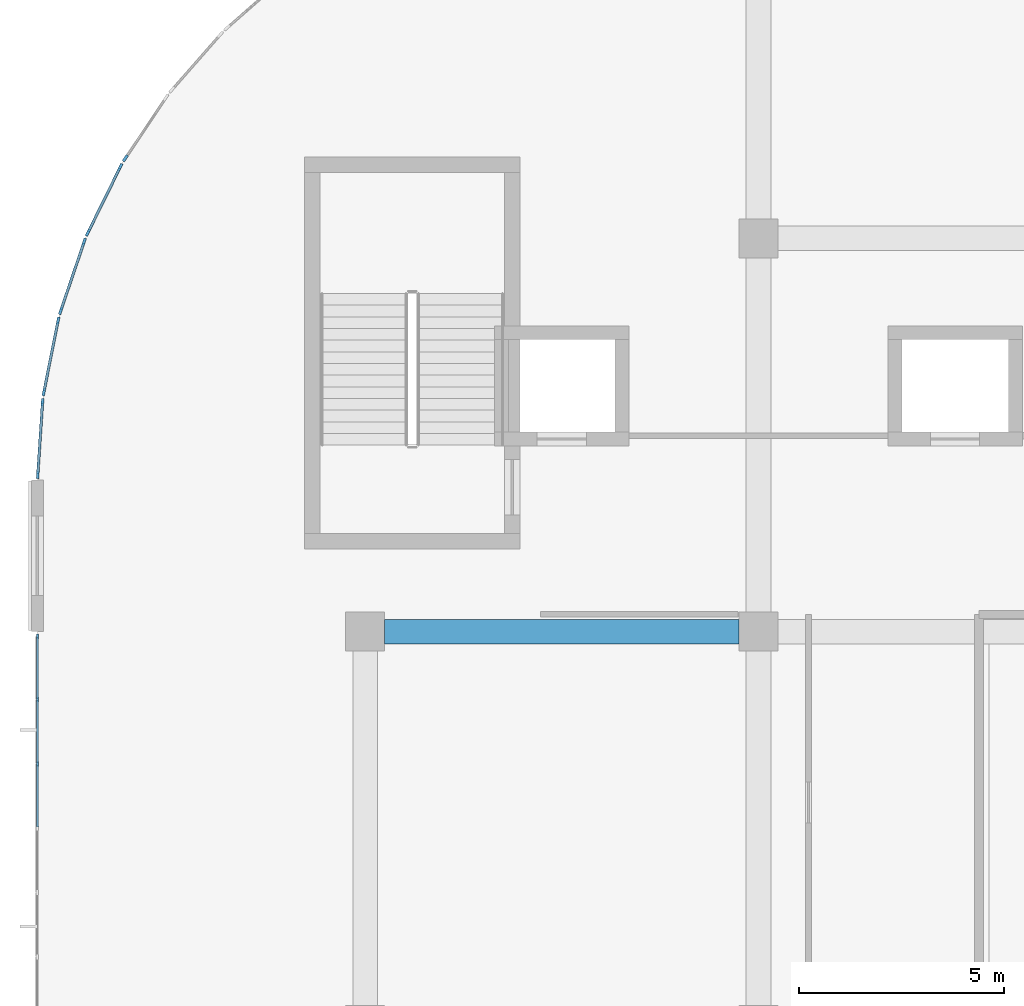
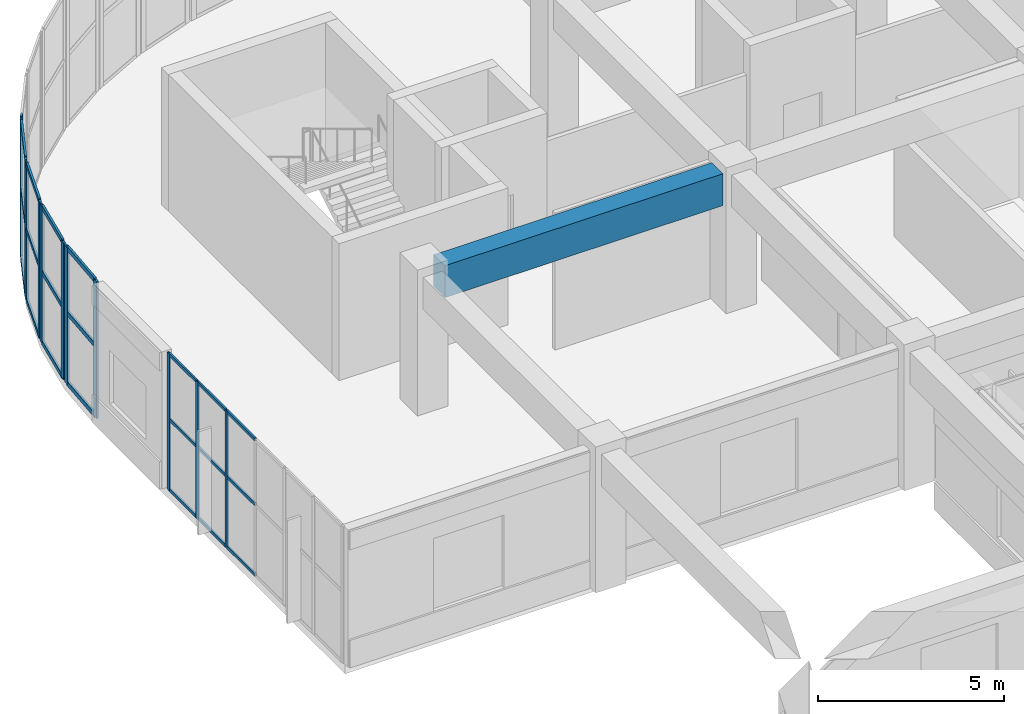
# One storey, part 26 of 86: 33 members, 1 beam, 6 elements without a shape of their own.
"""IFC4 building model written with IfcOpenShell, lengths in metres."""

from ifc_helpers import new_model, si_unit, direction, frame, origin, origin_2d, place, context, subcontext, project, spatial, rectangle, extrude, material, layer, layer_set, material_profile, profile_set, type_object, element, aggregate, save


model = new_model("IFC4")

# Units and contexts
model_context = context("Model", 3, precision=1e-05, world=origin(), true_north=direction((0.0, 1.0)))
body_context = subcontext(model_context, "Body", "Model", "MODEL_VIEW")
ifc_project = project(units=[si_unit("LENGTHUNIT", "METRE"), si_unit("AREAUNIT", "SQUARE_METRE"), si_unit("VOLUMEUNIT", "CUBIC_METRE"), si_unit("PLANEANGLEUNIT", "RADIAN"), si_unit("MASSUNIT", "GRAM", prefix="KILO")], contexts=[model_context])

# Site, building, storey
site_placement = place(None, origin())
site = spatial("IfcSite", under=ifc_project, at=site_placement, CompositionType="ELEMENT")
building_placement = place(site_placement, origin())
building = spatial("IfcBuilding", under=site, at=building_placement, Name="Cendralis Terraced Arcade", CompositionType="ELEMENT")
storey_placement = place(building_placement, frame((0.0, 0.0, 5.39990234375)))
storey = spatial("IfcBuildingStorey", under=building, at=storey_placement, Name="L01", CompositionType="ELEMENT", Elevation=5.39990234375)

# Beam
ifc_material_1 = material(Name="Concrete f'c 35 MPa", Category="concrete")
ifc_material_profile_1 = material_profile(ifc_material_1, rectangle(XDim=0.60009765625, YDim=1.050048828125, at=origin_2d()), Name="RC-BM-600x1050", Category="LoadBearing")
ifc_profile_set_1 = profile_set([ifc_material_profile_1], Name="Concrete f'c 35 MPa")
beam_type = type_object("IfcBeamType", Name="BM-600x1050", PredefinedType="JOIST", material=ifc_profile_set_1)
beam_placement = place(storey_placement, frame((10.074951171875, 69.60009765625, 3.97998046875), z_axis=(1.0, 0.0, 0.0), x_axis=(0.0, 1.0, 0.0)))
element("IfcBeam", 1, at=beam_placement, inside=storey, type_object=beam_type, Name="Reinforced Concrete Frame Beam BM-X-L02-H-2_3", PredefinedType="JOIST", context=body_context, shape_type="SweptSolid", body=[
    extrude(rectangle(XDim=0.60009765625, YDim=1.050048828125, at=origin_2d()), origin(), (0.0, 0.0, 1.0), 8.650146484375),
])

# Curtain wall, members
ifc_material_2 = material(Name="Anodised aluminium EN AW-6063 T6", Category="aluminium")
ifc_layer_1 = layer(ifc_material_2, 0.1201171875, Name="CW-STORE-B")
ifc_layer_set_1 = layer_set([ifc_layer_1], Name="Anodised aluminium EN AW-6063 T6")
curtain_wall_type_1 = type_object("IfcCurtainWallType", Name="CW-STORE-B", PredefinedType="USERDEFINED", material=ifc_layer_set_1)
curtain_wall_1_placement = place(storey_placement, origin())
curtain_wall_1 = element("IfcCurtainWall", 2, at=curtain_wall_1_placement, inside=storey, type_object=curtain_wall_type_1, Name="Exterior Storefront Glazing CW-L01-0037", ObjectType="STOREFRONT GLAZING", PredefinedType="USERDEFINED")
ifc_material_profile_2 = material_profile(ifc_material_2, rectangle(XDim=0.054931640625, YDim=0.1201171875, at=origin_2d()), Name="ALU-MUL-55x120")
ifc_profile_set_2 = profile_set([ifc_material_profile_2], Name="Anodised aluminium EN AW-6063 T6")
member_type_1 = type_object("IfcMemberType", Name="CW-STORE-B-MUL", PredefinedType="MULLION", material=ifc_profile_set_2)
member_1_placement = place(storey_placement, frame((1.60009765625, 66.3701171875, 0.0), z_axis=(0.0, 0.0, 1.0), x_axis=(-1.0, 0.0, 0.0)))
member_1 = element("IfcMember", 3, at=member_1_placement, type_object=member_type_1, Name="CW-S2 mullion 5", PredefinedType="MULLION", context=body_context, shape_type="SweptSolid", body=[
    extrude(rectangle(XDim=0.054931640625, YDim=0.1201171875, at=origin_2d()), origin(), (0.0, 0.0, 1.0), 4.505126953125),
])
member_2_placement = place(storey_placement, frame((1.60009765625, 67.93994140625, 0.0), z_axis=(0.0, 0.0, 1.0), x_axis=(-1.0, 0.0, 0.0)))
member_2 = element("IfcMember", 4, at=member_2_placement, type_object=member_type_1, Name="CW-S2 mullion 6", PredefinedType="MULLION", context=body_context, shape_type="SweptSolid", body=[
    extrude(rectangle(XDim=0.054931640625, YDim=0.1201171875, at=origin_2d()), origin(), (0.0, 0.0, 1.0), 4.505126953125),
])
member_3_placement = place(storey_placement, frame((1.60009765625, 69.482421875, 0.0), z_axis=(0.0, 0.0, 1.0), x_axis=(-1.0, 0.0, 0.0)))
member_3 = element("IfcMember", 5, at=member_3_placement, type_object=member_type_1, Name="CW-S2 mullion 7", PredefinedType="MULLION", context=body_context, shape_type="SweptSolid", body=[
    extrude(rectangle(XDim=0.054931640625, YDim=0.1201171875, at=origin_2d()), origin(), (0.0, 0.0, 1.0), 4.505126953125),
])
ifc_material_profile_3 = material_profile(ifc_material_2, rectangle(XDim=0.054931640625, YDim=0.10009765625, at=origin_2d()), Name="ALU-TRN-55x100")
ifc_profile_set_3 = profile_set([ifc_material_profile_3], Name="Anodised aluminium EN AW-6063 T6")
member_type_2 = type_object("IfcMemberType", Name="CW-STORE-B-TRN", PredefinedType="USERDEFINED", material=ifc_profile_set_3)
member_4_placement = place(storey_placement, frame((1.60009765625, 64.827392578125, 0.027587890625), z_axis=(0.0, 1.0, 0.0), x_axis=(-1.0, 0.0, 0.0)))
member_4 = element("IfcMember", 6, at=member_4_placement, type_object=member_type_2, Name="CW-S2 transom 4.1", ObjectType="TRANSOM", PredefinedType="USERDEFINED", context=body_context, shape_type="SweptSolid", body=[
    extrude(rectangle(XDim=0.054931640625, YDim=0.10009765625, at=origin_2d()), origin(), (0.0, 0.0, 1.0), 1.51513671875),
])
member_5_placement = place(storey_placement, frame((1.60009765625, 64.827392578125, 2.3427734375), z_axis=(0.0, 1.0, 0.0), x_axis=(-1.0, 0.0, 0.0)))
member_5 = element("IfcMember", 7, at=member_5_placement, type_object=member_type_2, Name="CW-S2 transom 4.2", ObjectType="TRANSOM", PredefinedType="USERDEFINED", context=body_context, shape_type="SweptSolid", body=[
    extrude(rectangle(XDim=0.054931640625, YDim=0.10009765625, at=origin_2d()), origin(), (0.0, 0.0, 1.0), 1.51513671875),
])
member_6_placement = place(storey_placement, frame((1.60009765625, 64.827392578125, 4.4775390625), z_axis=(0.0, 1.0, 0.0), x_axis=(-1.0, 0.0, 0.0)))
member_6 = element("IfcMember", 8, at=member_6_placement, type_object=member_type_2, Name="CW-S2 transom 4.3", ObjectType="TRANSOM", PredefinedType="USERDEFINED", context=body_context, shape_type="SweptSolid", body=[
    extrude(rectangle(XDim=0.054931640625, YDim=0.10009765625, at=origin_2d()), origin(), (0.0, 0.0, 1.0), 1.51513671875),
])
member_7_placement = place(storey_placement, frame((1.60009765625, 66.3974609375, 0.027587890625), z_axis=(0.0, 1.0, 0.0), x_axis=(-1.0, 0.0, 0.0)))
member_7 = element("IfcMember", 9, at=member_7_placement, type_object=member_type_2, Name="CW-S2 transom 5.1", ObjectType="TRANSOM", PredefinedType="USERDEFINED", context=body_context, shape_type="SweptSolid", body=[
    extrude(rectangle(XDim=0.054931640625, YDim=0.10009765625, at=origin_2d()), origin(), (0.0, 0.0, 1.0), 1.51513671875),
])
member_8_placement = place(storey_placement, frame((1.60009765625, 66.3974609375, 2.3427734375), z_axis=(0.0, 1.0, 0.0), x_axis=(-1.0, 0.0, 0.0)))
member_8 = element("IfcMember", 10, at=member_8_placement, type_object=member_type_2, Name="CW-S2 transom 5.2", ObjectType="TRANSOM", PredefinedType="USERDEFINED", context=body_context, shape_type="SweptSolid", body=[
    extrude(rectangle(XDim=0.054931640625, YDim=0.10009765625, at=origin_2d()), origin(), (0.0, 0.0, 1.0), 1.51513671875),
])
member_9_placement = place(storey_placement, frame((1.60009765625, 66.3974609375, 4.4775390625), z_axis=(0.0, 1.0, 0.0), x_axis=(-1.0, 0.0, 0.0)))
member_9 = element("IfcMember", 11, at=member_9_placement, type_object=member_type_2, Name="CW-S2 transom 5.3", ObjectType="TRANSOM", PredefinedType="USERDEFINED", context=body_context, shape_type="SweptSolid", body=[
    extrude(rectangle(XDim=0.054931640625, YDim=0.10009765625, at=origin_2d()), origin(), (0.0, 0.0, 1.0), 1.51513671875),
])
member_10_placement = place(storey_placement, frame((1.60009765625, 67.967529296875, 0.027587890625), z_axis=(0.0, 1.0, 0.0), x_axis=(-1.0, 0.0, 0.0)))
member_10 = element("IfcMember", 12, at=member_10_placement, type_object=member_type_2, Name="CW-S2 transom 6.1", ObjectType="TRANSOM", PredefinedType="USERDEFINED", context=body_context, shape_type="SweptSolid", body=[
    extrude(rectangle(XDim=0.054931640625, YDim=0.10009765625, at=origin_2d()), origin(), (0.0, 0.0, 1.0), 1.487548828125),
])
member_11_placement = place(storey_placement, frame((1.60009765625, 67.967529296875, 2.3427734375), z_axis=(0.0, 1.0, 0.0), x_axis=(-1.0, 0.0, 0.0)))
member_11 = element("IfcMember", 13, at=member_11_placement, type_object=member_type_2, Name="CW-S2 transom 6.2", ObjectType="TRANSOM", PredefinedType="USERDEFINED", context=body_context, shape_type="SweptSolid", body=[
    extrude(rectangle(XDim=0.054931640625, YDim=0.10009765625, at=origin_2d()), origin(), (0.0, 0.0, 1.0), 1.487548828125),
])
member_12_placement = place(storey_placement, frame((1.60009765625, 67.967529296875, 4.4775390625), z_axis=(0.0, 1.0, 0.0), x_axis=(-1.0, 0.0, 0.0)))
member_12 = element("IfcMember", 14, at=member_12_placement, type_object=member_type_2, Name="CW-S2 transom 6.3", ObjectType="TRANSOM", PredefinedType="USERDEFINED", context=body_context, shape_type="SweptSolid", body=[
    extrude(rectangle(XDim=0.054931640625, YDim=0.10009765625, at=origin_2d()), origin(), (0.0, 0.0, 1.0), 1.487548828125),
])
aggregate(curtain_wall_1, [member_1, member_2, member_3, member_4, member_5, member_6, member_7, member_8, member_9, member_10, member_11, member_12])

ifc_layer_2 = layer(ifc_material_2, 0.179931640625, Name="CW-UNIT-A")
ifc_layer_set_2 = layer_set([ifc_layer_2], Name="Anodised aluminium EN AW-6063 T6")
curtain_wall_type_2 = type_object("IfcCurtainWallType", Name="CW-UNIT-A", PredefinedType="USERDEFINED", material=ifc_layer_set_2)
curtain_wall_2_placement = place(storey_placement, origin())
curtain_wall_2 = element("IfcCurtainWall", 15, at=curtain_wall_2_placement, inside=storey, type_object=curtain_wall_type_2, Name="Exterior Unitised Facade CW-L01-0038", ObjectType="UNITISED FACADE", PredefinedType="USERDEFINED")
ifc_material_profile_4 = material_profile(ifc_material_2, rectangle(XDim=0.06494140625, YDim=0.179931640625, at=origin_2d()), Name="ALU-MUL-65x180")
ifc_profile_set_4 = profile_set([ifc_material_profile_4], Name="Anodised aluminium EN AW-6063 T6")
member_type_3 = type_object("IfcMemberType", Name="CW-UNIT-A-MUL", PredefinedType="MULLION", material=ifc_profile_set_4)
member_13_placement = place(storey_placement, frame((1.60791015625, 73.422119140625, 0.0), z_axis=(0.0, 0.0, 1.0), x_axis=(-0.997860192175, 0.065383766124, 0.0)))
member_13 = element("IfcMember", 16, at=member_13_placement, type_object=member_type_3, Name="CW-U1 mullion 1", PredefinedType="MULLION", context=body_context, shape_type="SweptSolid", body=[
    extrude(rectangle(XDim=0.06494140625, YDim=0.179931640625, at=origin_2d()), origin(), (0.0, 0.0, 1.0), 4.505126953125),
])
member_14_placement = place(storey_placement, frame((1.724609375, 75.200927734375, 0.0), z_axis=(0.0, 0.0, 1.0), x_axis=(-0.997860192175, 0.065383766124, 0.0)))
member_14 = element("IfcMember", 17, at=member_14_placement, type_object=member_type_3, Name="CW-U1 mullion 2", PredefinedType="MULLION", context=body_context, shape_type="SweptSolid", body=[
    extrude(rectangle(XDim=0.06494140625, YDim=0.179931640625, at=origin_2d()), origin(), (0.0, 0.0, 1.0), 4.505126953125),
])

curtain_wall_3_placement = place(storey_placement, origin())
curtain_wall_3 = element("IfcCurtainWall", 18, at=curtain_wall_3_placement, inside=storey, type_object=curtain_wall_type_2, Name="Exterior Unitised Facade CW-L01-0039", ObjectType="UNITISED FACADE", PredefinedType="USERDEFINED")
member_15_placement = place(storey_placement, frame((1.756591796875, 75.443359375, 0.0), z_axis=(0.0, 0.0, 1.0), x_axis=(-0.980796601395, 0.195033398913, 0.0)))
member_15 = element("IfcMember", 19, at=member_15_placement, type_object=member_type_3, Name="CW-U1 mullion 1", PredefinedType="MULLION", context=body_context, shape_type="SweptSolid", body=[
    extrude(rectangle(XDim=0.06494140625, YDim=0.179931640625, at=origin_2d()), origin(), (0.0, 0.0, 1.0), 4.505126953125),
])
member_16_placement = place(storey_placement, frame((2.104248046875, 77.19140625, 0.0), z_axis=(0.0, 0.0, 1.0), x_axis=(-0.980796601395, 0.195033398913, 0.0)))
member_16 = element("IfcMember", 20, at=member_16_placement, type_object=member_type_3, Name="CW-U1 mullion 2", PredefinedType="MULLION", context=body_context, shape_type="SweptSolid", body=[
    extrude(rectangle(XDim=0.06494140625, YDim=0.179931640625, at=origin_2d()), origin(), (0.0, 0.0, 1.0), 4.505126953125),
])

curtain_wall_4_placement = place(storey_placement, origin())
curtain_wall_4 = element("IfcCurtainWall", 21, at=curtain_wall_4_placement, inside=storey, type_object=curtain_wall_type_2, Name="Exterior Unitised Facade CW-L01-0040", ObjectType="UNITISED FACADE", PredefinedType="USERDEFINED")
member_17_placement = place(storey_placement, frame((2.16748046875, 77.427734375, 0.0), z_axis=(0.0, 0.0, 1.0), x_axis=(-0.946909571674, 0.32150002033, 0.0)))
member_17 = element("IfcMember", 22, at=member_17_placement, type_object=member_type_3, Name="CW-U1 mullion 1", PredefinedType="MULLION", context=body_context, shape_type="SweptSolid", body=[
    extrude(rectangle(XDim=0.06494140625, YDim=0.179931640625, at=origin_2d()), origin(), (0.0, 0.0, 1.0), 4.505126953125),
])
member_18_placement = place(storey_placement, frame((2.740478515625, 79.11572265625, 0.0), z_axis=(0.0, 0.0, 1.0), x_axis=(-0.946909571674, 0.32150002033, 0.0)))
member_18 = element("IfcMember", 23, at=member_18_placement, type_object=member_type_3, Name="CW-U1 mullion 2", PredefinedType="MULLION", context=body_context, shape_type="SweptSolid", body=[
    extrude(rectangle(XDim=0.06494140625, YDim=0.179931640625, at=origin_2d()), origin(), (0.0, 0.0, 1.0), 4.505126953125),
])

curtain_wall_5_placement = place(storey_placement, origin())
curtain_wall_5 = element("IfcCurtainWall", 24, at=curtain_wall_5_placement, inside=storey, type_object=curtain_wall_type_2, Name="Exterior Unitised Facade CW-L01-0041", ObjectType="UNITISED FACADE", PredefinedType="USERDEFINED")
member_19_placement = place(storey_placement, frame((2.833984375, 79.341552734375, 0.0), z_axis=(0.0, 0.0, 1.0), x_axis=(-0.896881752867, 0.442270416572, 0.0)))
member_19 = element("IfcMember", 25, at=member_19_placement, type_object=member_type_3, Name="CW-U1 mullion 1", PredefinedType="MULLION", context=body_context, shape_type="SweptSolid", body=[
    extrude(rectangle(XDim=0.06494140625, YDim=0.179931640625, at=origin_2d()), origin(), (0.0, 0.0, 1.0), 4.505126953125),
])
member_20_placement = place(storey_placement, frame((3.622314453125, 80.940185546875, 0.0), z_axis=(0.0, 0.0, 1.0), x_axis=(-0.896881752867, 0.442270416572, 0.0)))
member_20 = element("IfcMember", 26, at=member_20_placement, type_object=member_type_3, Name="CW-U1 mullion 2", PredefinedType="MULLION", context=body_context, shape_type="SweptSolid", body=[
    extrude(rectangle(XDim=0.06494140625, YDim=0.179931640625, at=origin_2d()), origin(), (0.0, 0.0, 1.0), 4.505126953125),
])

# Curtain wall, member
curtain_wall_6_placement = place(storey_placement, origin())
curtain_wall_6 = element("IfcCurtainWall", 27, at=curtain_wall_6_placement, inside=storey, type_object=curtain_wall_type_2, Name="Exterior Unitised Facade CW-L01-0042", ObjectType="UNITISED FACADE", PredefinedType="USERDEFINED")
member_21_placement = place(storey_placement, frame((3.74462890625, 81.15185546875, 0.0), z_axis=(0.0, 0.0, 1.0), x_axis=(-0.831483619587, 0.555549269065, 0.0)))
member_21 = element("IfcMember", 28, at=member_21_placement, type_object=member_type_3, Name="CW-U1 mullion 1", PredefinedType="MULLION", context=body_context, shape_type="SweptSolid", body=[
    extrude(rectangle(XDim=0.06494140625, YDim=0.179931640625, at=origin_2d()), origin(), (0.0, 0.0, 1.0), 4.505126953125),
])
aggregate(curtain_wall_6, [member_21])

# Member
ifc_material_profile_5 = material_profile(ifc_material_2, rectangle(XDim=0.06494140625, YDim=0.14990234375, at=origin_2d()), Name="ALU-TRN-65x150")
ifc_profile_set_5 = profile_set([ifc_material_profile_5], Name="Anodised aluminium EN AW-6063 T6")
member_type_4 = type_object("IfcMemberType", Name="CW-UNIT-A-TRN", PredefinedType="USERDEFINED", material=ifc_profile_set_5)
member_22_placement = place(storey_placement, frame((1.610107421875, 73.45458984375, 0.03271484375), z_axis=(0.065386837014, 0.997859990953, 0.0), x_axis=(-0.997859990953, 0.065386837014, 0.0)))
member_22 = element("IfcMember", 29, at=member_22_placement, type_object=member_type_4, Name="CW-U1 transom 1.1", ObjectType="TRANSOM", PredefinedType="USERDEFINED", context=body_context, shape_type="SweptSolid", body=[
    extrude(rectangle(XDim=0.06494140625, YDim=0.14990234375, at=origin_2d()), origin(), (0.0, 0.0, 1.0), 1.717529296875),
])

member_23_placement = place(storey_placement, frame((1.610107421875, 73.45458984375, 2.3427734375), z_axis=(0.065386837014, 0.997859990953, 0.0), x_axis=(-0.997859990953, 0.065386837014, 0.0)))
member_23 = element("IfcMember", 30, at=member_23_placement, type_object=member_type_4, Name="CW-U1 transom 1.2", ObjectType="TRANSOM", PredefinedType="USERDEFINED", context=body_context, shape_type="SweptSolid", body=[
    extrude(rectangle(XDim=0.06494140625, YDim=0.14990234375, at=origin_2d()), origin(), (0.0, 0.0, 1.0), 1.717529296875),
])

member_24_placement = place(storey_placement, frame((1.610107421875, 73.45458984375, 4.47265625), z_axis=(0.065386837014, 0.997859990953, 0.0), x_axis=(-0.997859990953, 0.065386837014, 0.0)))
member_24 = element("IfcMember", 31, at=member_24_placement, type_object=member_type_4, Name="CW-U1 transom 1.3", ObjectType="TRANSOM", PredefinedType="USERDEFINED", context=body_context, shape_type="SweptSolid", body=[
    extrude(rectangle(XDim=0.06494140625, YDim=0.14990234375, at=origin_2d()), origin(), (0.0, 0.0, 1.0), 1.717529296875),
])

aggregate(curtain_wall_2, [member_13, member_14, member_22, member_23, member_24])

member_25_placement = place(storey_placement, frame((1.762939453125, 75.475341796875, 0.03271484375), z_axis=(0.195049784954, 0.980793342855, 0.0), x_axis=(-0.980793342855, 0.195049784954, 0.0)))
member_25 = element("IfcMember", 32, at=member_25_placement, type_object=member_type_4, Name="CW-U1 transom 1.1", ObjectType="TRANSOM", PredefinedType="USERDEFINED", context=body_context, shape_type="SweptSolid", body=[
    extrude(rectangle(XDim=0.06494140625, YDim=0.14990234375, at=origin_2d()), origin(), (0.0, 0.0, 1.0), 1.71728515625),
])

member_26_placement = place(storey_placement, frame((1.762939453125, 75.475341796875, 2.3427734375), z_axis=(0.195049784954, 0.980793342855, 0.0), x_axis=(-0.980793342855, 0.195049784954, 0.0)))
member_26 = element("IfcMember", 33, at=member_26_placement, type_object=member_type_4, Name="CW-U1 transom 1.2", ObjectType="TRANSOM", PredefinedType="USERDEFINED", context=body_context, shape_type="SweptSolid", body=[
    extrude(rectangle(XDim=0.06494140625, YDim=0.14990234375, at=origin_2d()), origin(), (0.0, 0.0, 1.0), 1.71728515625),
])

member_27_placement = place(storey_placement, frame((1.762939453125, 75.475341796875, 4.47265625), z_axis=(0.195049784954, 0.980793342855, 0.0), x_axis=(-0.980793342855, 0.195049784954, 0.0)))
member_27 = element("IfcMember", 34, at=member_27_placement, type_object=member_type_4, Name="CW-U1 transom 1.3", ObjectType="TRANSOM", PredefinedType="USERDEFINED", context=body_context, shape_type="SweptSolid", body=[
    extrude(rectangle(XDim=0.06494140625, YDim=0.14990234375, at=origin_2d()), origin(), (0.0, 0.0, 1.0), 1.71728515625),
])

aggregate(curtain_wall_3, [member_15, member_16, member_25, member_26, member_27])

member_28_placement = place(storey_placement, frame((2.177978515625, 77.45849609375, 0.03271484375), z_axis=(0.321382839826, 0.946949349367, 0.0), x_axis=(-0.946949349367, 0.321382839826, 0.0)))
member_28 = element("IfcMember", 35, at=member_28_placement, type_object=member_type_4, Name="CW-U1 transom 1.1", ObjectType="TRANSOM", PredefinedType="USERDEFINED", context=body_context, shape_type="SweptSolid", body=[
    extrude(rectangle(XDim=0.06494140625, YDim=0.14990234375, at=origin_2d()), origin(), (0.0, 0.0, 1.0), 1.717529296875),
])

member_29_placement = place(storey_placement, frame((2.177978515625, 77.45849609375, 2.3427734375), z_axis=(0.321382839826, 0.946949349367, 0.0), x_axis=(-0.946949349367, 0.321382839826, 0.0)))
member_29 = element("IfcMember", 36, at=member_29_placement, type_object=member_type_4, Name="CW-U1 transom 1.2", ObjectType="TRANSOM", PredefinedType="USERDEFINED", context=body_context, shape_type="SweptSolid", body=[
    extrude(rectangle(XDim=0.06494140625, YDim=0.14990234375, at=origin_2d()), origin(), (0.0, 0.0, 1.0), 1.717529296875),
])

member_30_placement = place(storey_placement, frame((2.177978515625, 77.45849609375, 4.47265625), z_axis=(0.321382839826, 0.946949349367, 0.0), x_axis=(-0.946949349367, 0.321382839826, 0.0)))
member_30 = element("IfcMember", 37, at=member_30_placement, type_object=member_type_4, Name="CW-U1 transom 1.3", ObjectType="TRANSOM", PredefinedType="USERDEFINED", context=body_context, shape_type="SweptSolid", body=[
    extrude(rectangle(XDim=0.06494140625, YDim=0.14990234375, at=origin_2d()), origin(), (0.0, 0.0, 1.0), 1.717529296875),
])

aggregate(curtain_wall_4, [member_17, member_18, member_28, member_29, member_30])

member_31_placement = place(storey_placement, frame((2.848388671875, 79.37060546875, 0.03271484375), z_axis=(0.442373932141, 0.896830699832, 0.0), x_axis=(-0.896830699832, 0.442373932141, 0.0)))
member_31 = element("IfcMember", 38, at=member_31_placement, type_object=member_type_4, Name="CW-U1 transom 1.1", ObjectType="TRANSOM", PredefinedType="USERDEFINED", context=body_context, shape_type="SweptSolid", body=[
    extrude(rectangle(XDim=0.06494140625, YDim=0.14990234375, at=origin_2d()), origin(), (0.0, 0.0, 1.0), 1.717529296875),
])

member_32_placement = place(storey_placement, frame((2.848388671875, 79.37060546875, 2.3427734375), z_axis=(0.442373932141, 0.896830699832, 0.0), x_axis=(-0.896830699832, 0.442373932141, 0.0)))
member_32 = element("IfcMember", 39, at=member_32_placement, type_object=member_type_4, Name="CW-U1 transom 1.2", ObjectType="TRANSOM", PredefinedType="USERDEFINED", context=body_context, shape_type="SweptSolid", body=[
    extrude(rectangle(XDim=0.06494140625, YDim=0.14990234375, at=origin_2d()), origin(), (0.0, 0.0, 1.0), 1.717529296875),
])

member_33_placement = place(storey_placement, frame((2.848388671875, 79.37060546875, 4.47265625), z_axis=(0.442373932141, 0.896830699832, 0.0), x_axis=(-0.896830699832, 0.442373932141, 0.0)))
member_33 = element("IfcMember", 40, at=member_33_placement, type_object=member_type_4, Name="CW-U1 transom 1.3", ObjectType="TRANSOM", PredefinedType="USERDEFINED", context=body_context, shape_type="SweptSolid", body=[
    extrude(rectangle(XDim=0.06494140625, YDim=0.14990234375, at=origin_2d()), origin(), (0.0, 0.0, 1.0), 1.717529296875),
])

aggregate(curtain_wall_5, [member_19, member_20, member_31, member_32, member_33])

save(model, "model.ifc")
